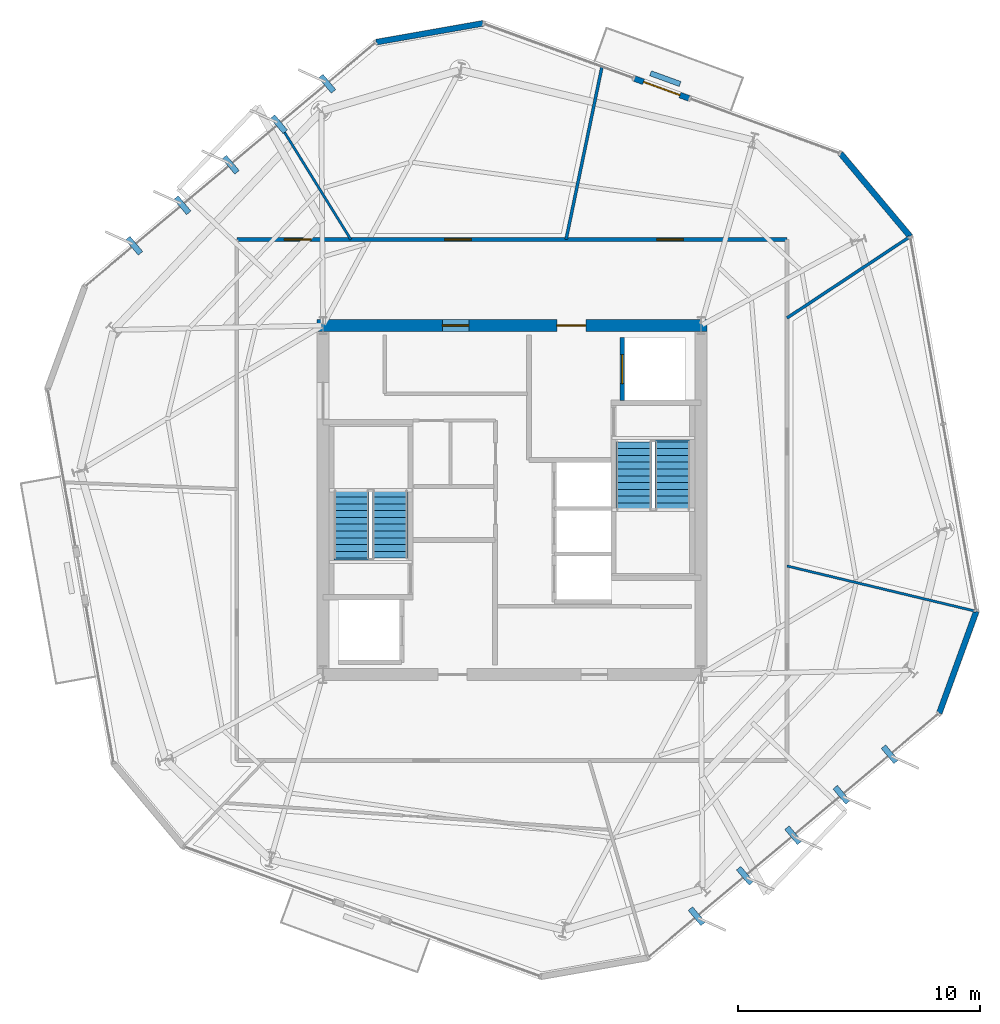
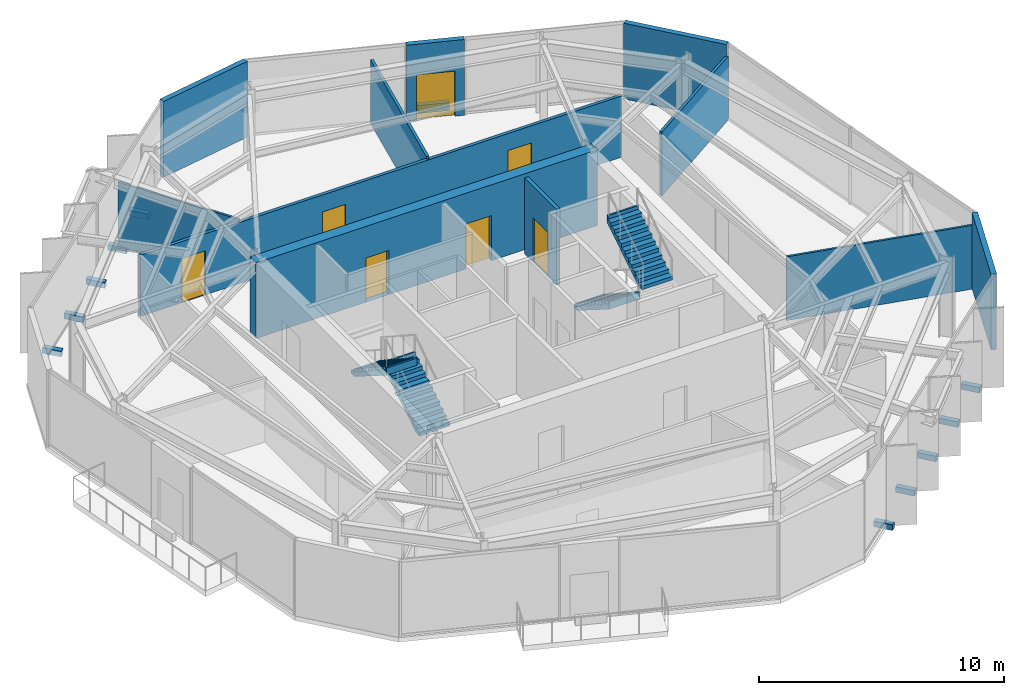
# One storey, part 8 of 11: 12 walls, 10 discrete accessories, 7 doors, 4 stair flights, 7 openings, 2 elements without a shape of their own.
"""IFC4 building model written with IfcOpenShell, lengths in metres."""

from ifc_helpers import new_model, si_unit, direction, frame, frame_2d, origin, origin_2d, place, context, subcontext, project, spatial, polyline, rectangle, outline, extrude, material, layer, layer_set, type_object, element, fill, aggregate, save


model = new_model("IFC4")

# Units and contexts
model_context = context("Model", 3, precision=1e-05, world=origin(), true_north=direction((0.0, 1.0)))
body_context = subcontext(model_context, "Body", "Model", "MODEL_VIEW")
ifc_project = project(units=[si_unit("LENGTHUNIT", "METRE"), si_unit("AREAUNIT", "SQUARE_METRE"), si_unit("VOLUMEUNIT", "CUBIC_METRE"), si_unit("PLANEANGLEUNIT", "RADIAN"), si_unit("MASSUNIT", "GRAM", prefix="KILO")], contexts=[model_context])

# Site, building, storey
site_placement = place(None, origin())
site = spatial("IfcSite", under=ifc_project, at=site_placement, CompositionType="ELEMENT")
building_placement = place(site_placement, origin())
building = spatial("IfcBuilding", under=site, at=building_placement, Name="Kranzbogen Civic Tower", CompositionType="ELEMENT")
storey_placement = place(building_placement, frame((0.0, 0.0, 184.800048828125)))
storey = spatial("IfcBuildingStorey", under=building, at=storey_placement, Name="L44", CompositionType="ELEMENT", Elevation=184.800048828125)

# Wall, openings, doors
ifc_material_1 = material(Name="Double-Stud Acoustic Gypsum Partition")
ifc_layer_1 = layer(ifc_material_1, 0.14990234375, Name="Double-Stud Acoustic Gypsum Partition")
ifc_layer_set_1 = layer_set([ifc_layer_1], Name="Double-Stud Acoustic Gypsum Partition")
wall_type_1 = type_object("IfcWallType", Name="Acoustic Corridor and Clinical Partition 150 mm", PredefinedType="PARTITIONING", material=ifc_layer_set_1)
wall_1_placement = place(storey_placement, frame((13.64990234375, 35.75, 0.0), z_axis=(0.0, 0.0, 1.0), x_axis=(1.0, 0.0, 0.0)))
wall_1 = element("IfcWall", 1, at=wall_1_placement, inside=storey, type_object=wall_type_1, Name="L44 corridor partition 01", PredefinedType="PARTITIONING", context=body_context, shape_type="SweptSolid", body=[
    extrude(rectangle(XDim=22.7001953125, YDim=0.14990234375, at=frame_2d((11.35009765625, 0.0))), origin(), (0.0, 0.0, 1.0), 3.050048828125),
])
opening_1_placement = place(wall_1_placement, frame((17.326904296875, 0.0, 0.0)))
opening_1 = element("IfcOpeningElement", 2, at=opening_1_placement, cuts=wall_1, Name="Opening D-COR60", PredefinedType="OPENING", context=body_context, shape_type="SweptSolid", body=[
    extrude(rectangle(XDim=1.10009765625, YDim=2.199951171875, at=frame_2d((0.550048828125, 1.10009765625))), frame((0.0, 0.0849609375, 0.0), z_axis=(0.0, -1.0, 0.0), x_axis=(1.0, 0.0, 0.0)), (0.0, 0.0, 1.0), 0.169921875),
])
opening_2_placement = place(wall_1_placement, frame((8.574951171875, 0.0, 0.0)))
opening_2 = element("IfcOpeningElement", 3, at=opening_2_placement, cuts=wall_1, Name="Opening D-COR60", PredefinedType="OPENING", context=body_context, shape_type="SweptSolid", body=[
    extrude(rectangle(XDim=1.10009765625, YDim=2.199951171875, at=frame_2d((0.550048828125, 1.10009765625))), frame((0.0, 0.0849609375, 0.0), z_axis=(0.0, -1.0, 0.0), x_axis=(1.0, 0.0, 0.0)), (0.0, 0.0, 1.0), 0.169921875),
])
opening_3_placement = place(wall_1_placement, frame((1.9580078125, 0.0, 0.0)))
opening_3 = element("IfcOpeningElement", 4, at=opening_3_placement, cuts=wall_1, Name="Opening D-COR60", PredefinedType="OPENING", context=body_context, shape_type="SweptSolid", body=[
    extrude(rectangle(XDim=1.10009765625, YDim=2.199951171875, at=frame_2d((0.550048828125, 1.10009765625))), frame((0.0, 0.0849609375, 0.0), z_axis=(0.0, -1.0, 0.0), x_axis=(1.0, 0.0, 0.0)), (0.0, 0.0, 1.0), 0.169921875),
])
ifc_material_2 = material(Name="Oak Timber and Fire Core", Category="wood")
door_type_1 = type_object("IfcDoorType", Name="Corridor Acoustic Fire Door 1100x2200", OperationType="NOTDEFINED", PredefinedType="DOOR", material=ifc_material_2)
door_1_placement = place(opening_1_placement, origin())
door_1 = element("IfcDoor", 5, at=door_1_placement, inside=storey, type_object=door_type_1, Name="L44 Duty Crew Control Room door", OperationType="SINGLE_SWING_LEFT", OverallHeight=2.199951171875, OverallWidth=1.10009765625, PredefinedType="DOOR", context=body_context, shape_type="SweptSolid", body=[
    extrude(rectangle(XDim=1.10009765625, YDim=2.199951171875, at=frame_2d((0.550048828125, 1.10009765625))), frame((0.0, 0.02490234375, 0.0), z_axis=(0.0, -1.0, 0.0), x_axis=(1.0, 0.0, 0.0)), (0.0, 0.0, 1.0), 0.050048828125),
])
fill(opening_1, door_1)
door_2_placement = place(opening_2_placement, origin())
door_2 = element("IfcDoor", 6, at=door_2_placement, inside=storey, type_object=door_type_1, Name="L44 Citizen Services Kiosk door", OperationType="SINGLE_SWING_RIGHT", OverallHeight=2.199951171875, OverallWidth=1.10009765625, PredefinedType="DOOR", context=body_context, shape_type="SweptSolid", body=[
    extrude(rectangle(XDim=1.10009765625, YDim=2.199951171875, at=frame_2d((0.550048828125, 1.10009765625))), frame((0.0, 0.02490234375, 0.0), z_axis=(0.0, -1.0, 0.0), x_axis=(1.0, 0.0, 0.0)), (0.0, 0.0, 1.0), 0.050048828125),
])
fill(opening_2, door_2)
door_3_placement = place(opening_3_placement, origin())
door_3 = element("IfcDoor", 7, at=door_3_placement, inside=storey, type_object=door_type_1, Name="L44 Ministerial Policy Office door", OperationType="SINGLE_SWING_LEFT", OverallHeight=2.199951171875, OverallWidth=1.10009765625, PredefinedType="DOOR", context=body_context, shape_type="SweptSolid", body=[
    extrude(rectangle(XDim=1.10009765625, YDim=2.199951171875, at=frame_2d((0.550048828125, 1.10009765625))), frame((0.0, 0.02490234375, 0.0), z_axis=(0.0, -1.0, 0.0), x_axis=(1.0, 0.0, 0.0)), (0.0, 0.0, 1.0), 0.050048828125),
])
fill(opening_3, door_3)

# Walls
ifc_material_3 = material(Name="Insulated Metal-Stud Gypsum Partition")
ifc_layer_2 = layer(ifc_material_3, 0.125, Name="Insulated Metal-Stud Gypsum Partition")
ifc_layer_set_2 = layer_set([ifc_layer_2], Name="Insulated Metal-Stud Gypsum Partition")
wall_type_2 = type_object("IfcWallType", Name="Acoustic Inter-Room Partition 125 mm", PredefinedType="PARTITIONING", material=ifc_layer_set_2)
wall_2_placement = place(storey_placement, frame((27.23388671875, 35.75, 0.0), z_axis=(0.0, 0.0, 1.0), x_axis=(0.203445620086, 0.979086247308, 0.0)))
element("IfcWall", 8, at=wall_2_placement, inside=storey, type_object=wall_type_2, Name="L44 radial room partition 01", PredefinedType="PARTITIONING", context=body_context, shape_type="SweptSolid", body=[
    extrude(rectangle(XDim=7.264892578125, YDim=0.125, at=frame_2d((3.63232421875, 0.0))), origin(), (0.0, 0.0, 1.0), 3.179931640625),
])
wall_3_placement = place(storey_placement, frame((36.35009765625, 32.510009765625, 0.0), z_axis=(0.0, 0.0, 1.0), x_axis=(0.833986040468, 0.551785541949, 0.0)))
element("IfcWall", 9, at=wall_3_placement, inside=storey, type_object=wall_type_2, Name="L44 radial room partition 07", PredefinedType="PARTITIONING", context=body_context, shape_type="SweptSolid", body=[
    extrude(rectangle(XDim=6.07666015625, YDim=0.125, at=frame_2d((3.038330078125, 0.0))), origin(), (0.0, 0.0, 1.0), 3.179931640625),
])
ifc_material_4 = material(Name="Architectural Precast Terracotta Concrete C40/50", Category="masonry")
ifc_layer_3 = layer(ifc_material_4, 0.219970703125, Name="Architectural Precast Terracotta Concrete C40/50")
ifc_layer_set_3 = layer_set([ifc_layer_3], Name="Architectural Precast Terracotta Concrete C40/50")
wall_type_3 = type_object("IfcWallType", Name="Architectural Tree Planter Kerb Wall 220 mm", PredefinedType="USERDEFINED", material=ifc_layer_set_3)
wall_4_placement = place(storey_placement, frame((31.93994140625, 42.166015625, 0.0), z_axis=(0.0, 0.0, 1.0), x_axis=(-0.93985371871, 0.341577205661, 0.0)))
element("IfcWall", 10, at=wall_4_placement, inside=storey, type_object=wall_type_3, Name="L44 landscaped tree balcony planter L44-TB2", ObjectType="PLANTER_WALL", PredefinedType="USERDEFINED", context=body_context, shape_type="SweptSolid", body=[
    extrude(rectangle(XDim=1.300048828125, YDim=0.219970703125, at=frame_2d((0.64990234375, 0.0))), origin(), (0.0, 0.0, 1.0), 0.39990234375),
])

# Wall, openings, doors
ifc_material_5 = material(Name="Concrete C45/55", Category="concrete")
ifc_layer_4 = layer(ifc_material_5, 0.5, Name="Concrete C45/55")
ifc_layer_set_4 = layer_set([ifc_layer_4], Name="Concrete C45/55")
wall_type_4 = type_object("IfcWallType", Name="Central Core Shear Wall 500 mm", PredefinedType="SHEAR", material=ifc_layer_set_4)
wall_5_placement = place(storey_placement, frame((33.050048828125, 32.199951171875, 0.0), z_axis=(0.0, 0.0, 1.0), x_axis=(-1.0, 0.0, 0.0)))
wall_5 = element("IfcWall", 11, at=wall_5_placement, inside=storey, type_object=wall_type_4, Name="L44 central core North shear wall", PredefinedType="SHEAR", context=body_context, shape_type="SweptSolid", body=[
    extrude(rectangle(XDim=16.10009765625, YDim=0.5, at=frame_2d((8.050048828125, 0.0))), origin(), (0.0, 0.0, 1.0), 3.780029296875),
])
opening_4_placement = place(wall_5_placement, frame((5.0, 0.0, 0.0)))
opening_4 = element("IfcOpeningElement", 12, at=opening_4_placement, cuts=wall_5, Name="Opening D-EX120", PredefinedType="OPENING", context=body_context, shape_type="SweptSolid", body=[
    extrude(rectangle(XDim=1.199951171875, YDim=2.25, at=frame_2d((0.60009765625, 1.125))), frame((0.0, 0.260009765625, 0.0), z_axis=(0.0, -1.0, 0.0), x_axis=(1.0, 0.0, 0.0)), (0.0, 0.0, 1.0), 0.52001953125),
])
opening_5_placement = place(wall_5_placement, frame((9.824951171875, 0.0, 0.0)))
opening_5 = element("IfcOpeningElement", 13, at=opening_5_placement, cuts=wall_5, Name="Opening D-COR60", PredefinedType="OPENING", context=body_context, shape_type="SweptSolid", body=[
    extrude(rectangle(XDim=1.10009765625, YDim=2.199951171875, at=frame_2d((0.550048828125, 1.10009765625))), frame((0.0, 0.260009765625, 0.0), z_axis=(0.0, -1.0, 0.0), x_axis=(1.0, 0.0, 0.0)), (0.0, 0.0, 1.0), 0.52001953125),
])
door_4_placement = place(opening_5_placement, origin())
door_4 = element("IfcDoor", 14, at=door_4_placement, inside=storey, type_object=door_type_1, Name="L44 DAT1 comms room door", OperationType="SINGLE_SWING_LEFT", OverallHeight=2.199951171875, OverallWidth=1.10009765625, PredefinedType="DOOR", context=body_context, shape_type="SweptSolid", body=[
    extrude(rectangle(XDim=1.10009765625, YDim=2.199951171875, at=frame_2d((0.550048828125, 1.10009765625))), frame((0.0, 0.02490234375, 0.0), z_axis=(0.0, -1.0, 0.0), x_axis=(1.0, 0.0, 0.0)), (0.0, 0.0, 1.0), 0.050048828125),
])
fill(opening_5, door_4)
ifc_material_6 = material(Name="Steel S355", Category="steel")
door_type_2 = type_object("IfcDoorType", Name="Exit Passageway Fire Door 1200x2250", OperationType="NOTDEFINED", PredefinedType="DOOR", material=ifc_material_6)
door_5_placement = place(opening_4_placement, origin())
door_5 = element("IfcDoor", 15, at=door_5_placement, inside=storey, type_object=door_type_2, Name="L44 East firefighting lobby corridor door", OperationType="SINGLE_SWING_RIGHT", OverallHeight=2.25, OverallWidth=1.199951171875, PredefinedType="DOOR", context=body_context, shape_type="SweptSolid", body=[
    extrude(rectangle(XDim=1.199951171875, YDim=2.25, at=frame_2d((0.60009765625, 1.125))), frame((0.0, 0.02490234375, 0.0), z_axis=(0.0, -1.0, 0.0), x_axis=(1.0, 0.0, 0.0)), (0.0, 0.0, 1.0), 0.050048828125),
])
fill(opening_4, door_5)

# Walls
ifc_material_7 = material(Name="Demountable Aluminium and Gypsum Partition", Category="aluminium")
ifc_layer_5 = layer(ifc_material_7, 0.10009765625, Name="Demountable Aluminium and Gypsum Partition")
ifc_layer_set_5 = layer_set([ifc_layer_5], Name="Demountable Aluminium and Gypsum Partition")
wall_type_5 = type_object("IfcWallType", Name="Demountable Office Partition 100 mm", PredefinedType="MOVABLE", material=ifc_layer_set_5)
wall_6_placement = place(storey_placement, frame((18.35009765625, 35.75, 0.0), z_axis=(0.0, 0.0, 1.0), x_axis=(-0.526135592747, 0.850400692641, 0.0)))
element("IfcWall", 16, at=wall_6_placement, inside=storey, type_object=wall_type_5, Name="L44 radial room partition 02", PredefinedType="MOVABLE", context=body_context, shape_type="SweptSolid", body=[
    extrude(rectangle(XDim=5.60302734375, YDim=0.10009765625, at=frame_2d((2.801513671875, 0.0))), origin(), (0.0, 0.0, 1.0), 3.179931640625),
])
wall_7_placement = place(storey_placement, frame((36.35009765625, 22.277099609375, 0.0), z_axis=(0.0, 0.0, 1.0), x_axis=(0.972420475655, -0.233234685514, 0.0)))
element("IfcWall", 17, at=wall_7_placement, inside=storey, type_object=wall_type_5, Name="L44 radial room partition 06", PredefinedType="MOVABLE", context=body_context, shape_type="SweptSolid", body=[
    extrude(rectangle(XDim=8.013916015625, YDim=0.10009765625, at=frame_2d((4.0068359375, 0.0))), origin(), (0.0, 0.0, 1.0), 3.179931640625),
])

# Wall, opening, door
ifc_material_8 = material(Name="Gypsum Fireboard Shaftliner")
ifc_layer_6 = layer(ifc_material_8, 0.175048828125, Name="Gypsum Fireboard Shaftliner")
ifc_layer_set_6 = layer_set([ifc_layer_6], Name="Gypsum Fireboard Shaftliner")
wall_type_6 = type_object("IfcWallType", Name="Fire-Rated Lift and Service Shaft Wall 175 mm", PredefinedType="PARTITIONING", material=ifc_layer_set_6)
wall_8_placement = place(storey_placement, frame((29.550048828125, 29.10009765625, 0.0), z_axis=(0.0, 0.0, 1.0), x_axis=(0.0, 1.0, 0.0)))
wall_8 = element("IfcWall", 18, at=wall_8_placement, inside=storey, type_object=wall_type_6, Name="L44 lift FF-02 landing wall", PredefinedType="PARTITIONING", context=body_context, shape_type="SweptSolid", body=[
    extrude(rectangle(XDim=2.599853515625, YDim=0.175048828125, at=frame_2d((1.2998046875, 0.0))), origin(), (0.0, 0.0, 1.0), 3.780029296875),
])
opening_6_placement = place(wall_8_placement, frame((0.699951171875, 0.0, 0.0)))
opening_6 = element("IfcOpeningElement", 19, at=opening_6_placement, cuts=wall_8, Name="Opening LD-FF-02", PredefinedType="OPENING", context=body_context, shape_type="SweptSolid", body=[
    extrude(rectangle(XDim=1.199951171875, YDim=2.199951171875, at=frame_2d((0.60009765625, 1.10009765625))), frame((0.0, 0.09765625, 0.0), z_axis=(0.0, -1.0, 0.0), x_axis=(1.0, 0.0, 0.0)), (0.0, 0.0, 1.0), 0.195068359375),
])
ifc_material_9 = material(Name="Pale Anodised Aluminium", Category="aluminium")
door_type_3 = type_object("IfcDoorType", Name="Firefighting and Stretcher Lift Sliding Landing Door 1200x2200", OperationType="DOUBLE_DOOR_SLIDING", PredefinedType="DOOR", material=ifc_material_9)
door_6_placement = place(opening_6_placement, origin())
door_6 = element("IfcDoor", 20, at=door_6_placement, inside=storey, type_object=door_type_3, Name="L44 lift FF-02 sliding landing door", OperationType="DOUBLE_DOOR_SLIDING", OverallHeight=2.199951171875, OverallWidth=1.199951171875, PredefinedType="DOOR", context=body_context, shape_type="SweptSolid", body=[
    extrude(rectangle(XDim=1.199951171875, YDim=2.199951171875, at=frame_2d((0.60009765625, 1.10009765625))), frame((0.0, 0.02490234375, 0.0), z_axis=(0.0, -1.0, 0.0), x_axis=(1.0, 0.0, 0.0)), (0.0, 0.0, 1.0), 0.050048828125),
])
fill(opening_6, door_6)

ifc_layer_7 = layer(ifc_material_9, 0.239990234375, Name="Pale Anodised Aluminium")
ifc_layer_set_7 = layer_set([ifc_layer_7], Name="Pale Anodised Aluminium")
wall_type_7 = type_object("IfcWallType", Name="Insulated Aluminium Facade Portal Wall 240 mm", PredefinedType="STANDARD", material=ifc_layer_set_7)
wall_9_placement = place(storey_placement, frame((32.30908203125, 41.571044921875, 0.0), z_axis=(0.0, 0.0, 1.0), x_axis=(-0.939659694648, 0.342110593602, 0.0)))
wall_9 = element("IfcWall", 21, at=wall_9_placement, inside=storey, type_object=wall_type_7, Name="L44 exterior entrance portal wall 1", PredefinedType="STANDARD", context=body_context, shape_type="SweptSolid", body=[
    extrude(rectangle(XDim=2.39990234375, YDim=0.239990234375, at=frame_2d((1.199951171875, 0.0))), origin(), (0.0, 0.0, 1.0), 3.780029296875),
])
opening_7_placement = place(wall_9_placement, frame((0.39990234375, 0.0, 0.0)))
opening_7 = element("IfcOpeningElement", 22, at=opening_7_placement, cuts=wall_9, Name="Opening D-TER", PredefinedType="OPENING", context=body_context, shape_type="SweptSolid", body=[
    extrude(rectangle(XDim=1.60009765625, YDim=2.25, at=frame_2d((0.800048828125, 1.125))), frame((0.0, 0.1298828125, 0.0), z_axis=(0.0, -1.0, 0.0), x_axis=(1.0, 0.0, 0.0)), (0.0, 0.0, 1.0), 0.260009765625),
])
ifc_material_10 = material(Name="Anodised Bronze and Triple Glass", Category="glass")
door_type_4 = type_object("IfcDoorType", Name="Glazed Terrace and Balcony Double Door 1600x2250", OperationType="DOUBLE_DOOR_SINGLE_SWING", PredefinedType="DOOR", material=ifc_material_10)
door_7_placement = place(opening_7_placement, frame((1.60009765625, 0.0, 0.0), z_axis=(0.0, 0.0, 1.0), x_axis=(-1.0, 0.0, 0.0)))
door_7 = element("IfcDoor", 23, at=door_7_placement, inside=storey, type_object=door_type_4, Name="L44 tree balcony access door L44-TB2", OperationType="DOUBLE_DOOR_SINGLE_SWING", OverallHeight=2.25, OverallWidth=1.60009765625, PredefinedType="DOOR", context=body_context, shape_type="SweptSolid", body=[
    extrude(rectangle(XDim=1.60009765625, YDim=2.25, at=frame_2d((0.800048828125, 1.125))), frame((0.0, 0.02490234375, 0.0), z_axis=(0.0, -1.0, 0.0), x_axis=(1.0, 0.0, 0.0)), (0.0, 0.0, 1.0), 0.050048828125),
])
fill(opening_7, door_7)

# Walls
wall_10_placement = place(storey_placement, frame((23.801025390625, 44.66796875, 0.0), z_axis=(0.0, 0.0, 1.0), x_axis=(-0.984813792018, -0.173613925281, 0.0)))
element("IfcWall", 24, at=wall_10_placement, inside=storey, type_object=wall_type_7, Name="L44 chamfered corner facade spandrel 1", PredefinedType="STANDARD", context=body_context, shape_type="SweptSolid", body=[
    extrude(rectangle(XDim=4.468994140625, YDim=0.239990234375, at=frame_2d((2.234375, 0.0))), origin(), (0.0, 0.0, 1.0), 3.780029296875),
])
wall_11_placement = place(storey_placement, frame((42.633056640625, 16.2041015625, 0.0), z_axis=(0.0, 0.0, 1.0), x_axis=(0.341857099862, 0.939751947736, 0.0)))
element("IfcWall", 25, at=wall_11_placement, inside=storey, type_object=wall_type_7, Name="L44 chamfered corner facade spandrel 5", PredefinedType="STANDARD", context=body_context, shape_type="SweptSolid", body=[
    extrude(rectangle(XDim=4.46923828125, YDim=0.239990234375, at=frame_2d((2.234619140625, 0.0))), origin(), (0.0, 0.0, 1.0), 3.780029296875),
])
wall_12_placement = place(storey_placement, frame((41.43310546875, 35.873046875, 0.0), z_axis=(0.0, 0.0, 1.0), x_axis=(-0.642889570515, 0.765958876261, 0.0)))
element("IfcWall", 26, at=wall_12_placement, inside=storey, type_object=wall_type_7, Name="L44 chamfered corner facade spandrel 6", PredefinedType="STANDARD", context=body_context, shape_type="SweptSolid", body=[
    extrude(rectangle(XDim=4.467529296875, YDim=0.239990234375, at=frame_2d((2.23388671875, 0.0))), origin(), (0.0, 0.0, 1.0), 3.780029296875),
])

# Stair, stair flights
ifc_material_11 = material(Name="Precast concrete C40/50", Category="concrete")
stair_type_1 = type_object("IfcStairType", Name="Tower Core Pressurized Dogleg Stair 1450", PredefinedType="HALF_TURN_STAIR", material=ifc_material_11)
stair_1_placement = place(storey_placement, origin())
stair_1 = element("IfcStair", 27, at=stair_1_placement, inside=storey, type_object=stair_type_1, Name="L44 Tower Core Pressurized Stair 1", PredefinedType="HALF_TURN_STAIR")
stair_flight_type = type_object("IfcStairFlightType", Name="Precast Concrete Stair Flight R180", PredefinedType="STRAIGHT", material=ifc_material_11)
stair_flight_1_placement = place(storey_placement, frame((19.97509765625, 22.60009765625, 0.0), z_axis=(0.0, 0.0, 1.0), x_axis=(0.0, 1.0, 0.0)))
stair_flight_1 = element("IfcStairFlight", 28, at=stair_flight_1_placement, type_object=stair_flight_type, Name="ST-T1 flight 1", NumberOfRisers=11, NumberOfTreads=10, PredefinedType="STRAIGHT", RiserHeight=0.181818182, TreadLength=0.28, context=body_context, shape_type="SweptSolid", body=[
    extrude(outline(polyline([(0.0, 0.0), (0.0, 0.181884765625), (0.280029296875, 0.181884765625), (0.280029296875, 0.363525390625), (0.56005859375, 0.363525390625), (0.56005859375, 0.54541015625), (0.840087890625, 0.54541015625), (0.840087890625, 0.727294921875), (1.1201171875, 0.727294921875), (1.1201171875, 0.9091796875), (1.39990234375, 0.9091796875), (1.39990234375, 1.0908203125), (1.679931640625, 1.0908203125), (1.679931640625, 1.272705078125), (1.9599609375, 1.272705078125), (1.9599609375, 1.45458984375), (2.239990234375, 1.45458984375), (2.239990234375, 1.636474609375), (2.52001953125, 1.636474609375), (2.52001953125, 1.818115234375), (2.800048828125, 1.818115234375), (2.800048828125, 2.0), (2.880126953125, 2.0), (2.880126953125, 1.639404296875), (0.275146484375, 0.0), (0.0, 0.0)])), frame((0.0, 0.72509765625, 0.0), z_axis=(0.0, -1.0, 0.0), x_axis=(1.0, 0.0, 0.0)), (0.0, 0.0, 1.0), 1.449951171875),
])
stair_flight_2_placement = place(storey_placement, frame((18.375, 25.39990234375, 2.0), z_axis=(0.0, 0.0, 1.0), x_axis=(0.0, -1.0, 0.0)))
stair_flight_2 = element("IfcStairFlight", 29, at=stair_flight_2_placement, type_object=stair_flight_type, Name="ST-T1 flight 2", NumberOfRisers=11, NumberOfTreads=10, PredefinedType="STRAIGHT", RiserHeight=0.181818182, TreadLength=0.28, context=body_context, shape_type="SweptSolid", body=[
    extrude(outline(polyline([(0.0, 0.0), (0.0, 0.181884765625), (0.280029296875, 0.181884765625), (0.280029296875, 0.363525390625), (0.56005859375, 0.363525390625), (0.56005859375, 0.54541015625), (0.840087890625, 0.54541015625), (0.840087890625, 0.727294921875), (1.1201171875, 0.727294921875), (1.1201171875, 0.9091796875), (1.39990234375, 0.9091796875), (1.39990234375, 1.0908203125), (1.679931640625, 1.0908203125), (1.679931640625, 1.272705078125), (1.9599609375, 1.272705078125), (1.9599609375, 1.45458984375), (2.239990234375, 1.45458984375), (2.239990234375, 1.636474609375), (2.52001953125, 1.636474609375), (2.52001953125, 1.818115234375), (2.800048828125, 1.818115234375), (2.800048828125, 2.0), (2.880126953125, 2.0), (2.880126953125, 1.639404296875), (0.275146484375, 0.0), (0.0, 0.0)])), frame((0.0, 0.72509765625, 0.0), z_axis=(0.0, -1.0, 0.0), x_axis=(1.0, 0.0, 0.0)), (0.0, 0.0, 1.0), 1.449951171875),
])
aggregate(stair_1, [stair_flight_1, stair_flight_2])

stair_type_2 = type_object("IfcStairType", Name="Tower Core Secondary Dogleg Stair 1450", PredefinedType="HALF_TURN_STAIR", material=ifc_material_11)
stair_2_placement = place(storey_placement, origin())
stair_2 = element("IfcStair", 30, at=stair_2_placement, inside=storey, type_object=stair_type_2, Name="L44 Tower Core Pressurized Stair 2", PredefinedType="HALF_TURN_STAIR")
stair_flight_3_placement = place(storey_placement, frame((30.02490234375, 27.39990234375, 0.0), z_axis=(0.0, 0.0, 1.0), x_axis=(0.0, -1.0, 0.0)))
stair_flight_3 = element("IfcStairFlight", 31, at=stair_flight_3_placement, type_object=stair_flight_type, Name="ST-T2 flight 1", NumberOfRisers=11, NumberOfTreads=10, PredefinedType="STRAIGHT", RiserHeight=0.181818182, TreadLength=0.28, context=body_context, shape_type="SweptSolid", body=[
    extrude(outline(polyline([(0.0, 0.0), (0.0, 0.181884765625), (0.280029296875, 0.181884765625), (0.280029296875, 0.363525390625), (0.56005859375, 0.363525390625), (0.56005859375, 0.54541015625), (0.840087890625, 0.54541015625), (0.840087890625, 0.727294921875), (1.1201171875, 0.727294921875), (1.1201171875, 0.9091796875), (1.39990234375, 0.9091796875), (1.39990234375, 1.0908203125), (1.679931640625, 1.0908203125), (1.679931640625, 1.272705078125), (1.9599609375, 1.272705078125), (1.9599609375, 1.45458984375), (2.239990234375, 1.45458984375), (2.239990234375, 1.636474609375), (2.52001953125, 1.636474609375), (2.52001953125, 1.818115234375), (2.800048828125, 1.818115234375), (2.800048828125, 2.0), (2.880126953125, 2.0), (2.880126953125, 1.639404296875), (0.275146484375, 0.0), (0.0, 0.0)])), frame((0.0, 0.72509765625, 0.0), z_axis=(0.0, -1.0, 0.0), x_axis=(1.0, 0.0, 0.0)), (0.0, 0.0, 1.0), 1.449951171875),
])
stair_flight_4_placement = place(storey_placement, frame((31.625, 24.60009765625, 2.0), z_axis=(0.0, 0.0, 1.0), x_axis=(0.0, 1.0, 0.0)))
stair_flight_4 = element("IfcStairFlight", 32, at=stair_flight_4_placement, type_object=stair_flight_type, Name="ST-T2 flight 2", NumberOfRisers=11, NumberOfTreads=10, PredefinedType="STRAIGHT", RiserHeight=0.181818182, TreadLength=0.28, context=body_context, shape_type="SweptSolid", body=[
    extrude(outline(polyline([(0.0, 0.0), (0.0, 0.181884765625), (0.280029296875, 0.181884765625), (0.280029296875, 0.363525390625), (0.56005859375, 0.363525390625), (0.56005859375, 0.54541015625), (0.840087890625, 0.54541015625), (0.840087890625, 0.727294921875), (1.1201171875, 0.727294921875), (1.1201171875, 0.9091796875), (1.39990234375, 0.9091796875), (1.39990234375, 1.0908203125), (1.679931640625, 1.0908203125), (1.679931640625, 1.272705078125), (1.9599609375, 1.272705078125), (1.9599609375, 1.45458984375), (2.239990234375, 1.45458984375), (2.239990234375, 1.636474609375), (2.52001953125, 1.636474609375), (2.52001953125, 1.818115234375), (2.800048828125, 1.818115234375), (2.800048828125, 2.0), (2.880126953125, 2.0), (2.880126953125, 1.639404296875), (0.275146484375, 0.0), (0.0, 0.0)])), frame((0.0, 0.72509765625, 0.0), z_axis=(0.0, -1.0, 0.0), x_axis=(1.0, 0.0, 0.0)), (0.0, 0.0, 1.0), 1.449951171875),
])
aggregate(stair_2, [stair_flight_3, stair_flight_4])

# Discrete accessories
discrete_accessory_type = type_object("IfcDiscreteAccessoryType", Name="Structural Curtain-Wall Fin Support Bracket", PredefinedType="BRACKET", material=ifc_material_6)
for number, where, z_axis, x_axis, name in (
    (33, (17.3740234375, 42.177001953125, -0.25), (0.0, 0.0, 1.0), (-0.642787609687, 0.766044443119, 0.0), "L44 facade fin support bracket F2-1"),
    (34, (15.383056640625, 40.506103515625, -0.25), (0.0, 0.0, 1.0), (-0.642787609687, 0.766044443119, 0.0), "L44 facade fin support bracket F2-2"),
    (35, (13.39111328125, 38.8349609375, -0.25), (0.0, 0.0, 1.0), (-0.642787609687, 0.766044443119, 0.0), "L44 facade fin support bracket F2-3"),
    (36, (11.39892578125, 37.1640625, -0.25), (0.0, 0.0, 1.0), (-0.642787609687, 0.766044443119, 0.0), "L44 facade fin support bracket F2-4"),
    (37, (9.407958984375, 35.491943359375, -0.25), (0.0, 0.0, 1.0), (-0.642787609687, 0.766044443119, 0.0), "L44 facade fin support bracket F2-5"),
    (38, (32.6259765625, 7.822998046875, -0.25), (0.0, 0.0, 1.0), (0.642787609687, -0.766044443119, 0.0), "L44 facade fin support bracket F5-1"),
    (39, (34.616943359375, 9.493896484375, -0.25), (0.0, 0.0, 1.0), (0.642787609687, -0.766044443119, 0.0), "L44 facade fin support bracket F5-2"),
    (40, (36.60888671875, 11.1650390625, -0.25), (0.0, 0.0, 1.0), (0.642787609687, -0.766044443119, 0.0), "L44 facade fin support bracket F5-3"),
    (41, (38.60107421875, 12.8359375, -0.25), (0.0, 0.0, 1.0), (0.642787609687, -0.766044443119, 0.0), "L44 facade fin support bracket F5-4"),
    (42, (40.592041015625, 14.508056640625, -0.25), (0.0, 0.0, 1.0), (0.642787609687, -0.766044443119, 0.0), "L44 facade fin support bracket F5-5"),
):
    element("IfcDiscreteAccessory", number, at=place(storey_placement, frame(where, z_axis=z_axis, x_axis=x_axis)), inside=storey, type_object=discrete_accessory_type, Name=name, PredefinedType="BRACKET", context=body_context, shape_type="SweptSolid", body=[
        extrude(rectangle(XDim=0.820068359375, YDim=0.239990234375, at=origin_2d()), origin(), (0.0, 0.0, 1.0), 0.280029296875),
    ])

save(model, "model.ifc")
